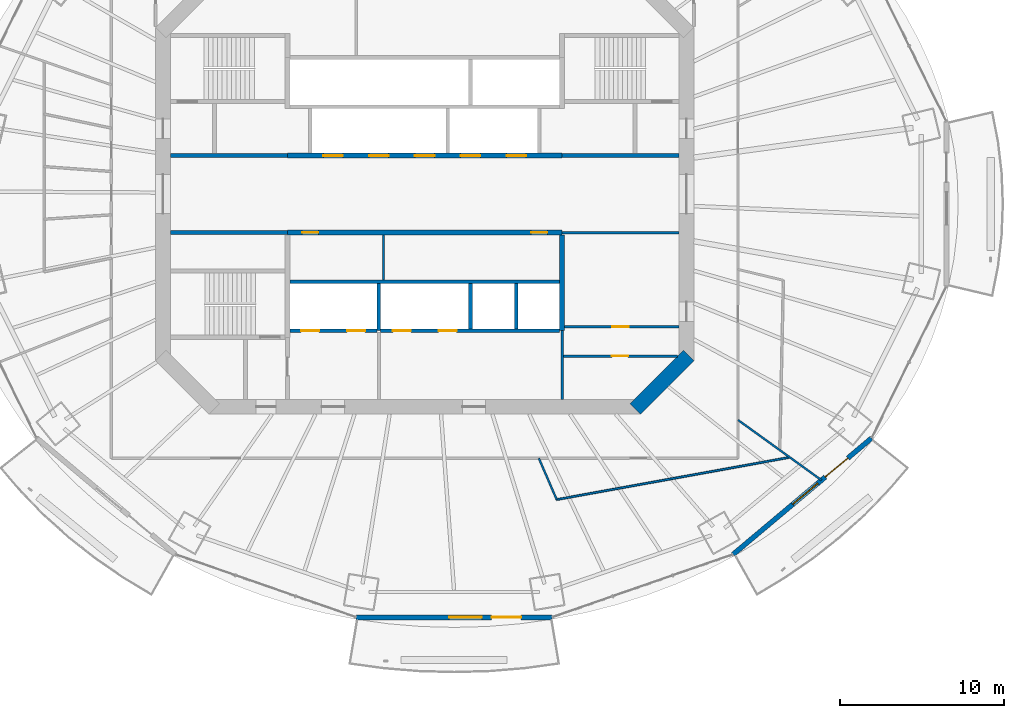
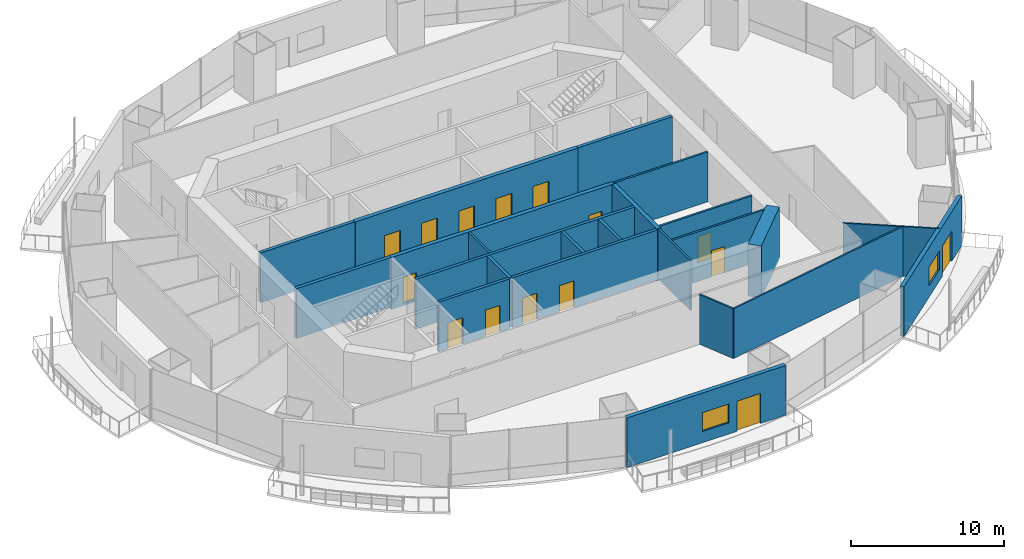
# One storey, part 11 of 19: 23 walls, 15 doors, 2 windows, 17 openings.
"""IFC4 building model written with IfcOpenShell, lengths in metres."""

from ifc_helpers import new_model, si_unit, direction, frame, frame_2d, origin, place, context, subcontext, project, spatial, rectangle, extrude, material, layer, layer_set, type_object, element, fill, save


model = new_model("IFC4")

# Units and contexts
model_context = context("Model", 3, precision=1e-05, world=origin(), true_north=direction((0.0, 1.0)))
body_context = subcontext(model_context, "Body", "Model", "MODEL_VIEW")
ifc_project = project(units=[si_unit("LENGTHUNIT", "METRE"), si_unit("AREAUNIT", "SQUARE_METRE"), si_unit("VOLUMEUNIT", "CUBIC_METRE"), si_unit("PLANEANGLEUNIT", "RADIAN"), si_unit("MASSUNIT", "GRAM", prefix="KILO")], contexts=[model_context])

# Site, building, storey
site_placement = place(None, origin())
site = spatial("IfcSite", under=ifc_project, at=site_placement, CompositionType="ELEMENT")
building_placement = place(site_placement, origin())
building = spatial("IfcBuilding", under=site, at=building_placement, Name="Marenthal Gate Tower", CompositionType="ELEMENT")
storey_placement = place(building_placement, frame((0.0, 0.0, 227.449951171875)))
storey = spatial("IfcBuildingStorey", under=building, at=storey_placement, Name="L50", CompositionType="ELEMENT", Elevation=227.449951171875)

# Wall
ifc_material_1 = material(Name="Concrete 60 MPa", Category="concrete")
ifc_layer_1 = layer(ifc_material_1, 0.89990234375)
ifc_layer_set_1 = layer_set([ifc_layer_1], Name="Core shear wall 900")
wall_type_1 = type_object("IfcWallType", Name="Core shear wall 900", PredefinedType="SHEAR", material=ifc_layer_set_1)
wall_1_placement = place(storey_placement, frame((12.8681640625, -13.1318359375, -0.179931640625), z_axis=(0.0, 0.0, 1.0), x_axis=(0.707106781187, 0.707106781187, 0.0)))
element("IfcWall", 1, at=wall_1_placement, inside=storey, type_object=wall_type_1, Name="Core wall 01", PredefinedType="SHEAR", context=body_context, shape_type="SweptSolid", body=[
    extrude(rectangle(XDim=4.615478515625, YDim=0.89990234375, at=frame_2d((2.3076171875, 0.0))), origin(), (0.0, 0.0, 1.0), 4.14990234375),
])

# Wall, openings, doors
ifc_material_2 = material(Name="Concrete 50 MPa", Category="concrete")
ifc_layer_2 = layer(ifc_material_2, 0.300048828125)
ifc_layer_set_2 = layer_set([ifc_layer_2], Name="Hoistway shear wall 300")
wall_type_2 = type_object("IfcWallType", Name="Hoistway shear wall 300", PredefinedType="SHEAR", material=ifc_layer_set_2)
wall_2_placement = place(storey_placement, frame((-8.39990234375, -2.35009765625, -0.179931640625), z_axis=(0.0, 0.0, 1.0), x_axis=(1.0, 0.0, 0.0)))
wall_2 = element("IfcWall", 2, at=wall_2_placement, inside=storey, type_object=wall_type_2, Name="Hoistway wall 17", PredefinedType="SHEAR", context=body_context, shape_type="SweptSolid", body=[
    extrude(rectangle(XDim=16.7998046875, YDim=0.300048828125, at=frame_2d((8.39990234375, 0.0))), origin(), (0.0, 0.0, 1.0), 4.14990234375),
])
opening_1_placement = place(wall_2_placement, frame((0.89990234375, 0.0, 0.179931640625)))
opening_1 = element("IfcOpeningElement", 3, at=opening_1_placement, cuts=wall_2, Name="Opening D005.01", PredefinedType="OPENING", context=body_context, shape_type="SweptSolid", body=[
    extrude(rectangle(XDim=1.0, YDim=2.10009765625, at=frame_2d((0.5, 1.050048828125))), frame((0.0, 0.16015625, 0.0), z_axis=(0.0, -1.0, 0.0), x_axis=(1.0, 0.0, 0.0)), (0.0, 0.0, 1.0), 0.320068359375),
])
opening_2_placement = place(wall_2_placement, frame((14.89990234375, 0.0, 0.179931640625)))
opening_2 = element("IfcOpeningElement", 4, at=opening_2_placement, cuts=wall_2, Name="Opening D005.02", PredefinedType="OPENING", context=body_context, shape_type="SweptSolid", body=[
    extrude(rectangle(XDim=1.0, YDim=2.10009765625, at=frame_2d((0.5, 1.050048828125))), frame((0.0, 0.16015625, 0.0), z_axis=(0.0, -1.0, 0.0), x_axis=(1.0, 0.0, 0.0)), (0.0, 0.0, 1.0), 0.320068359375),
])
ifc_material_3 = material(Name="Steel fire door", Category="steel")
door_type_1 = type_object("IfcDoorType", Name="Fire door FD 45 1000 x 2100", OperationType="NOTDEFINED", PredefinedType="DOOR", material=ifc_material_3)
door_1_placement = place(opening_1_placement, frame((1.0, 0.0, 0.0), z_axis=(0.0, 0.0, 1.0), x_axis=(-1.0, 0.0, 0.0)))
door_1 = element("IfcDoor", 5, at=door_1_placement, inside=storey, type_object=door_type_1, Name="Door D005.01", OperationType="SINGLE_SWING_LEFT", OverallHeight=2.10009765625, OverallWidth=1.0, PredefinedType="DOOR", context=body_context, shape_type="SweptSolid", body=[
    extrude(rectangle(XDim=1.0, YDim=2.10009765625, at=frame_2d((0.5, 1.050048828125))), frame((0.0, 0.02490234375, 0.0), z_axis=(0.0, -1.0, 0.0), x_axis=(1.0, 0.0, 0.0)), (0.0, 0.0, 1.0), 0.050048828125),
])
fill(opening_1, door_1)
door_2_placement = place(opening_2_placement, frame((1.0, 0.0, 0.0), z_axis=(0.0, 0.0, 1.0), x_axis=(-1.0, 0.0, 0.0)))
door_2 = element("IfcDoor", 6, at=door_2_placement, inside=storey, type_object=door_type_1, Name="Door D005.02", OperationType="SINGLE_SWING_LEFT", OverallHeight=2.10009765625, OverallWidth=1.0, PredefinedType="DOOR", context=body_context, shape_type="SweptSolid", body=[
    extrude(rectangle(XDim=1.0, YDim=2.10009765625, at=frame_2d((0.5, 1.050048828125))), frame((0.0, 0.02490234375, 0.0), z_axis=(0.0, -1.0, 0.0), x_axis=(1.0, 0.0, 0.0)), (0.0, 0.0, 1.0), 0.050048828125),
])
fill(opening_2, door_2)

wall_3_placement = place(storey_placement, frame((-8.39990234375, 2.35009765625, -0.179931640625), z_axis=(0.0, 0.0, 1.0), x_axis=(1.0, 0.0, 0.0)))
wall_3 = element("IfcWall", 7, at=wall_3_placement, inside=storey, type_object=wall_type_2, Name="Hoistway wall 20", PredefinedType="SHEAR", context=body_context, shape_type="SweptSolid", body=[
    extrude(rectangle(XDim=16.7998046875, YDim=0.300048828125, at=frame_2d((8.39990234375, 0.0))), origin(), (0.0, 0.0, 1.0), 4.14990234375),
])
opening_3_placement = place(wall_3_placement, frame((2.199951171875, 0.0, 0.179931640625)))
opening_3 = element("IfcOpeningElement", 8, at=opening_3_placement, cuts=wall_3, Name="Opening LD-MP1", PredefinedType="OPENING", context=body_context, shape_type="SweptSolid", body=[
    extrude(rectangle(XDim=1.199951171875, YDim=2.10009765625, at=frame_2d((0.60009765625, 1.050048828125))), frame((0.0, 0.16015625, 0.0), z_axis=(0.0, -1.0, 0.0), x_axis=(1.0, 0.0, 0.0)), (0.0, 0.0, 1.0), 0.320068359375),
])
opening_4_placement = place(wall_3_placement, frame((5.0, 0.0, 0.179931640625)))
opening_4 = element("IfcOpeningElement", 9, at=opening_4_placement, cuts=wall_3, Name="Opening LD-MP2", PredefinedType="OPENING", context=body_context, shape_type="SweptSolid", body=[
    extrude(rectangle(XDim=1.199951171875, YDim=2.10009765625, at=frame_2d((0.60009765625, 1.050048828125))), frame((0.0, 0.16015625, 0.0), z_axis=(0.0, -1.0, 0.0), x_axis=(1.0, 0.0, 0.0)), (0.0, 0.0, 1.0), 0.320068359375),
])
opening_5_placement = place(wall_3_placement, frame((7.800048828125, 0.0, 0.179931640625)))
opening_5 = element("IfcOpeningElement", 10, at=opening_5_placement, cuts=wall_3, Name="Opening LD-MP3", PredefinedType="OPENING", context=body_context, shape_type="SweptSolid", body=[
    extrude(rectangle(XDim=1.199951171875, YDim=2.10009765625, at=frame_2d((0.60009765625, 1.050048828125))), frame((0.0, 0.16015625, 0.0), z_axis=(0.0, -1.0, 0.0), x_axis=(1.0, 0.0, 0.0)), (0.0, 0.0, 1.0), 0.320068359375),
])
opening_6_placement = place(wall_3_placement, frame((10.60009765625, 0.0, 0.179931640625)))
opening_6 = element("IfcOpeningElement", 11, at=opening_6_placement, cuts=wall_3, Name="Opening LD-MP4", PredefinedType="OPENING", context=body_context, shape_type="SweptSolid", body=[
    extrude(rectangle(XDim=1.199951171875, YDim=2.10009765625, at=frame_2d((0.60009765625, 1.050048828125))), frame((0.0, 0.16015625, 0.0), z_axis=(0.0, -1.0, 0.0), x_axis=(1.0, 0.0, 0.0)), (0.0, 0.0, 1.0), 0.320068359375),
])
opening_7_placement = place(wall_3_placement, frame((13.39990234375, 0.0, 0.179931640625)))
opening_7 = element("IfcOpeningElement", 12, at=opening_7_placement, cuts=wall_3, Name="Opening LD-MP5", PredefinedType="OPENING", context=body_context, shape_type="SweptSolid", body=[
    extrude(rectangle(XDim=1.199951171875, YDim=2.10009765625, at=frame_2d((0.60009765625, 1.050048828125))), frame((0.0, 0.16015625, 0.0), z_axis=(0.0, -1.0, 0.0), x_axis=(1.0, 0.0, 0.0)), (0.0, 0.0, 1.0), 0.320068359375),
])
ifc_material_4 = material(Name="Stainless steel sliding door", Category="steel")
door_type_2 = type_object("IfcDoorType", Name="Lift landing door FD 90 1200 x 2100", OperationType="DOUBLE_DOOR_SLIDING", PredefinedType="DOOR", material=ifc_material_4)
door_3_placement = place(opening_3_placement, origin())
door_3 = element("IfcDoor", 13, at=door_3_placement, inside=storey, type_object=door_type_2, Name="Lift landing door MP1", OperationType="DOUBLE_DOOR_SLIDING", OverallHeight=2.10009765625, OverallWidth=1.199951171875, PredefinedType="DOOR", context=body_context, shape_type="SweptSolid", body=[
    extrude(rectangle(XDim=1.199951171875, YDim=2.10009765625, at=frame_2d((0.60009765625, 1.050048828125))), frame((0.0, 0.02490234375, 0.0), z_axis=(0.0, -1.0, 0.0), x_axis=(1.0, 0.0, 0.0)), (0.0, 0.0, 1.0), 0.050048828125),
])
fill(opening_3, door_3)
door_4_placement = place(opening_4_placement, origin())
door_4 = element("IfcDoor", 14, at=door_4_placement, inside=storey, type_object=door_type_2, Name="Lift landing door MP2", OperationType="DOUBLE_DOOR_SLIDING", OverallHeight=2.10009765625, OverallWidth=1.199951171875, PredefinedType="DOOR", context=body_context, shape_type="SweptSolid", body=[
    extrude(rectangle(XDim=1.199951171875, YDim=2.10009765625, at=frame_2d((0.60009765625, 1.050048828125))), frame((0.0, 0.02490234375, 0.0), z_axis=(0.0, -1.0, 0.0), x_axis=(1.0, 0.0, 0.0)), (0.0, 0.0, 1.0), 0.050048828125),
])
fill(opening_4, door_4)
door_5_placement = place(opening_5_placement, origin())
door_5 = element("IfcDoor", 15, at=door_5_placement, inside=storey, type_object=door_type_2, Name="Lift landing door MP3", OperationType="DOUBLE_DOOR_SLIDING", OverallHeight=2.10009765625, OverallWidth=1.199951171875, PredefinedType="DOOR", context=body_context, shape_type="SweptSolid", body=[
    extrude(rectangle(XDim=1.199951171875, YDim=2.10009765625, at=frame_2d((0.60009765625, 1.050048828125))), frame((0.0, 0.02490234375, 0.0), z_axis=(0.0, -1.0, 0.0), x_axis=(1.0, 0.0, 0.0)), (0.0, 0.0, 1.0), 0.050048828125),
])
fill(opening_5, door_5)
door_6_placement = place(opening_6_placement, origin())
door_6 = element("IfcDoor", 16, at=door_6_placement, inside=storey, type_object=door_type_2, Name="Lift landing door MP4", OperationType="DOUBLE_DOOR_SLIDING", OverallHeight=2.10009765625, OverallWidth=1.199951171875, PredefinedType="DOOR", context=body_context, shape_type="SweptSolid", body=[
    extrude(rectangle(XDim=1.199951171875, YDim=2.10009765625, at=frame_2d((0.60009765625, 1.050048828125))), frame((0.0, 0.02490234375, 0.0), z_axis=(0.0, -1.0, 0.0), x_axis=(1.0, 0.0, 0.0)), (0.0, 0.0, 1.0), 0.050048828125),
])
fill(opening_6, door_6)
door_7_placement = place(opening_7_placement, origin())
door_7 = element("IfcDoor", 17, at=door_7_placement, inside=storey, type_object=door_type_2, Name="Lift landing door MP5", OperationType="DOUBLE_DOOR_SLIDING", OverallHeight=2.10009765625, OverallWidth=1.199951171875, PredefinedType="DOOR", context=body_context, shape_type="SweptSolid", body=[
    extrude(rectangle(XDim=1.199951171875, YDim=2.10009765625, at=frame_2d((0.60009765625, 1.050048828125))), frame((0.0, 0.02490234375, 0.0), z_axis=(0.0, -1.0, 0.0), x_axis=(1.0, 0.0, 0.0)), (0.0, 0.0, 1.0), 0.050048828125),
])
fill(opening_7, door_7)

# Wall
wall_4_placement = place(storey_placement, frame((8.39990234375, -8.35009765625, -0.179931640625), z_axis=(0.0, 0.0, 1.0), x_axis=(0.0, 1.0, 0.0)))
element("IfcWall", 18, at=wall_4_placement, inside=storey, type_object=wall_type_2, Name="Hoistway wall 45", PredefinedType="SHEAR", context=body_context, shape_type="SweptSolid", body=[
    extrude(rectangle(XDim=5.85009765625, YDim=0.300048828125, at=frame_2d((2.925048828125, 0.0))), origin(), (0.0, 0.0, 1.0), 4.14990234375),
])

# Wall, openings, doors
ifc_material_5 = material(Name="Concrete 40 MPa", Category="concrete")
ifc_layer_3 = layer(ifc_material_5, 0.219970703125)
ifc_layer_set_3 = layer_set([ifc_layer_3], Name="Hoistway wall 220")
wall_type_3 = type_object("IfcWallType", Name="Hoistway wall 220", PredefinedType="STANDARD", material=ifc_layer_set_3)
wall_5_placement = place(storey_placement, frame((-8.25, -8.35009765625, 0.0), z_axis=(0.0, 0.0, 1.0), x_axis=(1.0, 0.0, 0.0)))
wall_5 = element("IfcWall", 19, at=wall_5_placement, inside=storey, type_object=wall_type_3, Name="Hoistway wall 11", PredefinedType="STANDARD", context=body_context, shape_type="SweptSolid", body=[
    extrude(rectangle(XDim=5.340087890625, YDim=0.219970703125, at=frame_2d((2.669921875, 0.0))), origin(), (0.0, 0.0, 1.0), 3.969970703125),
])
opening_8_placement = place(wall_5_placement, frame((0.699951171875, 0.0, 0.0)))
opening_8 = element("IfcOpeningElement", 20, at=opening_8_placement, cuts=wall_5, Name="Opening LD-LF1", PredefinedType="OPENING", context=body_context, shape_type="SweptSolid", body=[
    extrude(rectangle(XDim=1.10009765625, YDim=2.10009765625, at=frame_2d((0.550048828125, 1.050048828125))), frame((0.0, 0.1201171875, 0.0), z_axis=(0.0, -1.0, 0.0), x_axis=(1.0, 0.0, 0.0)), (0.0, 0.0, 1.0), 0.239990234375),
])
opening_9_placement = place(wall_5_placement, frame((3.5, 0.0, 0.0)))
opening_9 = element("IfcOpeningElement", 21, at=opening_9_placement, cuts=wall_5, Name="Opening LD-LF2", PredefinedType="OPENING", context=body_context, shape_type="SweptSolid", body=[
    extrude(rectangle(XDim=1.10009765625, YDim=2.10009765625, at=frame_2d((0.550048828125, 1.050048828125))), frame((0.0, 0.1201171875, 0.0), z_axis=(0.0, -1.0, 0.0), x_axis=(1.0, 0.0, 0.0)), (0.0, 0.0, 1.0), 0.239990234375),
])
ifc_material_6 = material(Name="Stainless steel sliding door", Category="steel")
door_type_3 = type_object("IfcDoorType", Name="Lift landing door FD 90 1100 x 2100", OperationType="DOUBLE_DOOR_SLIDING", PredefinedType="DOOR", material=ifc_material_6)
door_8_placement = place(opening_8_placement, origin())
door_8 = element("IfcDoor", 22, at=door_8_placement, inside=storey, type_object=door_type_3, Name="Lift landing door LF1", OperationType="DOUBLE_DOOR_SLIDING", OverallHeight=2.10009765625, OverallWidth=1.10009765625, PredefinedType="DOOR", context=body_context, shape_type="SweptSolid", body=[
    extrude(rectangle(XDim=1.10009765625, YDim=2.10009765625, at=frame_2d((0.550048828125, 1.050048828125))), frame((0.0, 0.02490234375, 0.0), z_axis=(0.0, -1.0, 0.0), x_axis=(1.0, 0.0, 0.0)), (0.0, 0.0, 1.0), 0.050048828125),
])
fill(opening_8, door_8)
door_9_placement = place(opening_9_placement, origin())
door_9 = element("IfcDoor", 23, at=door_9_placement, inside=storey, type_object=door_type_3, Name="Lift landing door LF2", OperationType="DOUBLE_DOOR_SLIDING", OverallHeight=2.10009765625, OverallWidth=1.10009765625, PredefinedType="DOOR", context=body_context, shape_type="SweptSolid", body=[
    extrude(rectangle(XDim=1.10009765625, YDim=2.10009765625, at=frame_2d((0.550048828125, 1.050048828125))), frame((0.0, 0.02490234375, 0.0), z_axis=(0.0, -1.0, 0.0), x_axis=(1.0, 0.0, 0.0)), (0.0, 0.0, 1.0), 0.050048828125),
])
fill(opening_9, door_9)

wall_6_placement = place(storey_placement, frame((-2.68994140625, -8.35009765625, 0.0), z_axis=(0.0, 0.0, 1.0), x_axis=(1.0, 0.0, 0.0)))
wall_6 = element("IfcWall", 24, at=wall_6_placement, inside=storey, type_object=wall_type_3, Name="Hoistway wall 12", PredefinedType="STANDARD", context=body_context, shape_type="SweptSolid", body=[
    extrude(rectangle(XDim=10.93994140625, YDim=0.219970703125, at=frame_2d((5.469970703125, 0.0))), origin(), (0.0, 0.0, 1.0), 3.969970703125),
])
opening_10_placement = place(wall_6_placement, frame((0.739990234375, 0.0, 0.0)))
opening_10 = element("IfcOpeningElement", 25, at=opening_10_placement, cuts=wall_6, Name="Opening LD-SV1", PredefinedType="OPENING", context=body_context, shape_type="SweptSolid", body=[
    extrude(rectangle(XDim=1.10009765625, YDim=2.10009765625, at=frame_2d((0.550048828125, 1.050048828125))), frame((0.0, 0.1201171875, 0.0), z_axis=(0.0, -1.0, 0.0), x_axis=(1.0, 0.0, 0.0)), (0.0, 0.0, 1.0), 0.239990234375),
])
opening_11_placement = place(wall_6_placement, frame((3.5400390625, 0.0, 0.0)))
opening_11 = element("IfcOpeningElement", 26, at=opening_11_placement, cuts=wall_6, Name="Opening LD-SV2", PredefinedType="OPENING", context=body_context, shape_type="SweptSolid", body=[
    extrude(rectangle(XDim=1.10009765625, YDim=2.10009765625, at=frame_2d((0.550048828125, 1.050048828125))), frame((0.0, 0.1201171875, 0.0), z_axis=(0.0, -1.0, 0.0), x_axis=(1.0, 0.0, 0.0)), (0.0, 0.0, 1.0), 0.239990234375),
])
door_10_placement = place(opening_10_placement, origin())
door_10 = element("IfcDoor", 27, at=door_10_placement, inside=storey, type_object=door_type_3, Name="Lift landing door SV1", OperationType="DOUBLE_DOOR_SLIDING", OverallHeight=2.10009765625, OverallWidth=1.10009765625, PredefinedType="DOOR", context=body_context, shape_type="SweptSolid", body=[
    extrude(rectangle(XDim=1.10009765625, YDim=2.10009765625, at=frame_2d((0.550048828125, 1.050048828125))), frame((0.0, 0.02490234375, 0.0), z_axis=(0.0, -1.0, 0.0), x_axis=(1.0, 0.0, 0.0)), (0.0, 0.0, 1.0), 0.050048828125),
])
fill(opening_10, door_10)
door_11_placement = place(opening_11_placement, origin())
door_11 = element("IfcDoor", 28, at=door_11_placement, inside=storey, type_object=door_type_3, Name="Lift landing door SV2", OperationType="DOUBLE_DOOR_SLIDING", OverallHeight=2.10009765625, OverallWidth=1.10009765625, PredefinedType="DOOR", context=body_context, shape_type="SweptSolid", body=[
    extrude(rectangle(XDim=1.10009765625, YDim=2.10009765625, at=frame_2d((0.550048828125, 1.050048828125))), frame((0.0, 0.02490234375, 0.0), z_axis=(0.0, -1.0, 0.0), x_axis=(1.0, 0.0, 0.0)), (0.0, 0.0, 1.0), 0.050048828125),
])
fill(opening_11, door_11)

# Walls
wall_7_placement = place(storey_placement, frame((-8.25, -5.35009765625, 0.0), z_axis=(0.0, 0.0, 1.0), x_axis=(1.0, 0.0, 0.0)))
element("IfcWall", 29, at=wall_7_placement, inside=storey, type_object=wall_type_3, Name="Hoistway wall 14", PredefinedType="STANDARD", context=body_context, shape_type="SweptSolid", body=[
    extrude(rectangle(XDim=16.5, YDim=0.219970703125, at=frame_2d((8.25, 0.0))), origin(), (0.0, 0.0, 1.0), 3.969970703125),
])
wall_8_placement = place(storey_placement, frame((-2.800048828125, -8.35009765625, 0.0), z_axis=(0.0, 0.0, 1.0), x_axis=(0.0, 1.0, 0.0)))
element("IfcWall", 30, at=wall_8_placement, inside=storey, type_object=wall_type_3, Name="Hoistway wall 37", PredefinedType="STANDARD", context=body_context, shape_type="SweptSolid", body=[
    extrude(rectangle(XDim=2.89013671875, YDim=0.219970703125, at=frame_2d((1.445068359375, 0.0))), origin(), (0.0, 0.0, 1.0), 3.969970703125),
])
for number, where, z_axis, x_axis, name in (
    (31, (2.800048828125, -8.239990234375, 0.0), (0.0, 0.0, 1.0), (0.0, 1.0, 0.0), "Hoistway wall 40"),
    (32, (5.60009765625, -8.239990234375, 0.0), (0.0, 0.0, 1.0), (0.0, 1.0, 0.0), "Hoistway wall 42"),
):
    element("IfcWall", number, at=place(storey_placement, frame(where, z_axis=z_axis, x_axis=x_axis)), inside=storey, type_object=wall_type_3, Name=name, PredefinedType="STANDARD", context=body_context, shape_type="SweptSolid", body=[
        extrude(rectangle(XDim=2.780029296875, YDim=0.219970703125, at=frame_2d((1.39013671875, 0.0))), origin(), (0.0, 0.0, 1.0), 3.969970703125),
    ])
ifc_material_7 = material(Name="Gypsum board on steel studs", Category="steel")
ifc_layer_4 = layer(ifc_material_7, 0.1201171875)
ifc_layer_set_4 = layer_set([ifc_layer_4], Name="Partition 120")
wall_type_4 = type_object("IfcWallType", Name="Partition 120", PredefinedType="PARTITIONING", material=ifc_layer_set_4)
wall_9_placement = place(storey_placement, frame((8.06640625, -18.672607421875, 0.0), z_axis=(0.0, 0.0, 1.0), x_axis=(0.983945089575, 0.178471456263, 0.0)))
element("IfcWall", 33, at=wall_9_placement, inside=storey, type_object=wall_type_4, Name="Partition wall 60", PredefinedType="PARTITIONING", context=body_context, shape_type="SweptSolid", body=[
    extrude(rectangle(XDim=14.479736328125, YDim=0.1201171875, at=frame_2d((7.23974609375, 0.0))), origin(), (0.0, 0.0, 1.0), 3.969970703125),
])
wall_10_placement = place(storey_placement, frame((8.06640625, -18.672607421875, 0.0), z_axis=(0.0, 0.0, 1.0), x_axis=(-0.39651259826, 0.918029280264, 0.0)))
element("IfcWall", 34, at=wall_10_placement, inside=storey, type_object=wall_type_4, Name="Partition wall 61", PredefinedType="PARTITIONING", context=body_context, shape_type="SweptSolid", body=[
    extrude(rectangle(XDim=2.748046875, YDim=0.1201171875, at=frame_2d((1.3740234375, 0.0))), origin(), (0.0, 0.0, 1.0), 3.969970703125),
])
wall_11_placement = place(storey_placement, frame((19.14990234375, -13.807373046875, 0.0), z_axis=(0.0, 0.0, 1.0), x_axis=(0.811160965087, -0.584822955021, 0.0)))
element("IfcWall", 35, at=wall_11_placement, inside=storey, type_object=wall_type_4, Name="Partition wall 65", PredefinedType="PARTITIONING", context=body_context, shape_type="SweptSolid", body=[
    extrude(rectangle(XDim=6.290771484375, YDim=0.1201171875, at=frame_2d((3.1455078125, 0.0))), origin(), (0.0, 0.0, 1.0), 3.969970703125),
])

# Wall, opening, door
ifc_material_8 = material(Name="Gypsum board on steel studs", Category="steel")
ifc_layer_5 = layer(ifc_material_8, 0.14990234375)
ifc_layer_set_5 = layer_set([ifc_layer_5], Name="Partition 150")
wall_type_5 = type_object("IfcWallType", Name="Partition 150", PredefinedType="PARTITIONING", material=ifc_layer_set_5)
wall_12_placement = place(storey_placement, frame((8.47509765625, -9.89990234375, 0.0), z_axis=(0.0, 0.0, 1.0), x_axis=(1.0, 0.0, 0.0)))
wall_12 = element("IfcWall", 36, at=wall_12_placement, inside=storey, type_object=wall_type_5, Name="Partition wall 09", PredefinedType="PARTITIONING", context=body_context, shape_type="SweptSolid", body=[
    extrude(rectangle(XDim=6.988525390625, YDim=0.14990234375, at=frame_2d((3.494140625, 0.0))), origin(), (0.0, 0.0, 1.0), 3.969970703125),
])
opening_12_placement = place(wall_12_placement, frame((2.956787109375, 0.0, 0.0)))
opening_12 = element("IfcOpeningElement", 37, at=opening_12_placement, cuts=wall_12, Name="Opening D005.06", PredefinedType="OPENING", context=body_context, shape_type="SweptSolid", body=[
    extrude(rectangle(XDim=1.0, YDim=2.10009765625, at=frame_2d((0.5, 1.050048828125))), frame((0.0, 0.0849609375, 0.0), z_axis=(0.0, -1.0, 0.0), x_axis=(1.0, 0.0, 0.0)), (0.0, 0.0, 1.0), 0.169921875),
])
door_12_placement = place(opening_12_placement, frame((1.0, 0.0, 0.0), z_axis=(0.0, 0.0, 1.0), x_axis=(-1.0, 0.0, 0.0)))
door_12 = element("IfcDoor", 38, at=door_12_placement, inside=storey, type_object=door_type_1, Name="Door D005.06", OperationType="SINGLE_SWING_LEFT", OverallHeight=2.10009765625, OverallWidth=1.0, PredefinedType="DOOR", context=body_context, shape_type="SweptSolid", body=[
    extrude(rectangle(XDim=1.0, YDim=2.10009765625, at=frame_2d((0.5, 1.050048828125))), frame((0.0, 0.02490234375, 0.0), z_axis=(0.0, -1.0, 0.0), x_axis=(1.0, 0.0, 0.0)), (0.0, 0.0, 1.0), 0.050048828125),
])
fill(opening_12, door_12)

wall_13_placement = place(storey_placement, frame((8.550048828125, -8.10009765625, 0.0), z_axis=(0.0, 0.0, 1.0), x_axis=(1.0, 0.0, 0.0)))
wall_13 = element("IfcWall", 39, at=wall_13_placement, inside=storey, type_object=wall_type_5, Name="Partition wall 13", PredefinedType="PARTITIONING", context=body_context, shape_type="SweptSolid", body=[
    extrude(rectangle(XDim=7.0, YDim=0.14990234375, at=frame_2d((3.5, 0.0))), origin(), (0.0, 0.0, 1.0), 3.969970703125),
])
opening_13_placement = place(wall_13_placement, frame((2.925048828125, 0.0, 0.0)))
opening_13 = element("IfcOpeningElement", 40, at=opening_13_placement, cuts=wall_13, Name="Opening D005.05", PredefinedType="OPENING", context=body_context, shape_type="SweptSolid", body=[
    extrude(rectangle(XDim=1.0, YDim=2.10009765625, at=frame_2d((0.5, 1.050048828125))), frame((0.0, 0.0849609375, 0.0), z_axis=(0.0, -1.0, 0.0), x_axis=(1.0, 0.0, 0.0)), (0.0, 0.0, 1.0), 0.169921875),
])
door_13_placement = place(opening_13_placement, origin())
door_13 = element("IfcDoor", 41, at=door_13_placement, inside=storey, type_object=door_type_1, Name="Door D005.05", OperationType="SINGLE_SWING_RIGHT", OverallHeight=2.10009765625, OverallWidth=1.0, PredefinedType="DOOR", context=body_context, shape_type="SweptSolid", body=[
    extrude(rectangle(XDim=1.0, YDim=2.10009765625, at=frame_2d((0.5, 1.050048828125))), frame((0.0, 0.02490234375, 0.0), z_axis=(0.0, -1.0, 0.0), x_axis=(1.0, 0.0, 0.0)), (0.0, 0.0, 1.0), 0.050048828125),
])
fill(opening_13, door_13)

# Walls
wall_14_placement = place(storey_placement, frame((8.39990234375, -2.35009765625, 0.0), z_axis=(0.0, 0.0, 1.0), x_axis=(1.0, 0.0, 0.0)))
element("IfcWall", 42, at=wall_14_placement, inside=storey, type_object=wall_type_5, Name="Partition wall 18", PredefinedType="PARTITIONING", context=body_context, shape_type="SweptSolid", body=[
    extrude(rectangle(XDim=7.150146484375, YDim=0.14990234375, at=frame_2d((3.5751953125, 0.0))), origin(), (0.0, 0.0, 1.0), 3.969970703125),
])
wall_15_placement = place(storey_placement, frame((-2.52001953125, -5.239990234375, 0.0), z_axis=(0.0, 0.0, 1.0), x_axis=(0.0, 1.0, 0.0)))
element("IfcWall", 43, at=wall_15_placement, inside=storey, type_object=wall_type_5, Name="Partition wall 38", PredefinedType="PARTITIONING", context=body_context, shape_type="SweptSolid", body=[
    extrude(rectangle(XDim=2.739990234375, YDim=0.14990234375, at=frame_2d((1.3701171875, 0.0))), origin(), (0.0, 0.0, 1.0), 3.969970703125),
])
wall_16_placement = place(storey_placement, frame((8.39990234375, -12.550048828125, 0.0), z_axis=(0.0, 0.0, 1.0), x_axis=(0.0, 1.0, 0.0)))
element("IfcWall", 44, at=wall_16_placement, inside=storey, type_object=wall_type_5, Name="Partition wall 44", PredefinedType="PARTITIONING", context=body_context, shape_type="SweptSolid", body=[
    extrude(rectangle(XDim=4.199951171875, YDim=0.14990234375, at=frame_2d((2.10009765625, 0.0))), origin(), (0.0, 0.0, 1.0), 3.969970703125),
])
ifc_material_9 = material(Name="Concrete 40 MPa", Category="concrete")
ifc_layer_6 = layer(ifc_material_9, 0.25)
ifc_layer_set_6 = layer_set([ifc_layer_6], Name="Stair enclosure wall 250")
wall_type_6 = type_object("IfcWallType", Name="Stair enclosure wall 250", PredefinedType="STANDARD", material=ifc_layer_set_6)
for number, where, z_axis, x_axis, name in (
    (45, (-15.550048828125, -2.35009765625, 0.0), (0.0, 0.0, 1.0), (1.0, 0.0, 0.0), "Stair wall 16"),
    (46, (-15.550048828125, 2.35009765625, 0.0), (0.0, 0.0, 1.0), (1.0, 0.0, 0.0), "Stair wall 19"),
    (47, (8.39990234375, 2.35009765625, 0.0), (0.0, 0.0, 1.0), (1.0, 0.0, 0.0), "Stair wall 21"),
):
    element("IfcWall", number, at=place(storey_placement, frame(where, z_axis=z_axis, x_axis=x_axis)), inside=storey, type_object=wall_type_6, Name=name, PredefinedType="STANDARD", context=body_context, shape_type="SweptSolid", body=[
        extrude(rectangle(XDim=7.150146484375, YDim=0.25, at=frame_2d((3.5751953125, 0.0))), origin(), (0.0, 0.0, 1.0), 3.969970703125),
    ])

# Wall, openings, door, window
ifc_material_10 = material(Name="Terracotta cladding on insulated concrete-block backing", Category="masonry")
ifc_layer_7 = layer(ifc_material_10, 0.300048828125)
ifc_layer_set_7 = layer_set([ifc_layer_7], Name="Terracotta facade wall 300")
wall_type_7 = type_object("IfcWallType", Name="Terracotta facade wall 300", PredefinedType="SOLIDWALL", material=ifc_layer_set_7)
wall_17_placement = place(storey_placement, frame((-4.18701171875, -25.869873046875, 0.0), z_axis=(0.0, 0.0, 1.0), x_axis=(1.0, 0.0, 0.0)))
wall_17 = element("IfcWall", 48, at=wall_17_placement, inside=storey, type_object=wall_type_7, Name="Terracotta facade wall L50 bay 12", PredefinedType="SOLIDWALL", context=body_context, shape_type="SweptSolid", body=[
    extrude(rectangle(XDim=11.973876953125, YDim=0.300048828125, at=frame_2d((5.98681640625, 0.0))), origin(), (0.0, 0.0, 1.0), 3.969970703125),
])
opening_14_placement = place(wall_17_placement, frame((8.273681640625, 0.0, 0.0)))
opening_14 = element("IfcOpeningElement", 49, at=opening_14_placement, cuts=wall_17, Name="Opening BD-L50-12", PredefinedType="OPENING", context=body_context, shape_type="SweptSolid", body=[
    extrude(rectangle(XDim=1.800048828125, YDim=2.39990234375, at=frame_2d((0.89990234375, 1.199951171875))), frame((0.0, 0.16015625, 0.0), z_axis=(0.0, -1.0, 0.0), x_axis=(1.0, 0.0, 0.0)), (0.0, 0.0, 1.0), 0.320068359375),
])
opening_15_placement = place(wall_17_placement, frame((5.673828125, 0.0, 0.89990234375)))
opening_15 = element("IfcOpeningElement", 50, at=opening_15_placement, cuts=wall_17, Name="Opening WN2-L50-12", PredefinedType="OPENING", context=body_context, shape_type="SweptSolid", body=[
    extrude(rectangle(XDim=2.0, YDim=1.5, at=frame_2d((1.0, 0.75))), frame((0.0, 0.16015625, 0.0), z_axis=(0.0, -1.0, 0.0), x_axis=(1.0, 0.0, 0.0)), (0.0, 0.0, 1.0), 0.320068359375),
])
ifc_material_11 = material(Name="Aluminium and glass", Category="aluminium")
door_type_4 = type_object("IfcDoorType", Name="Balcony door 1800x2400", OperationType="DOUBLE_DOOR_SINGLE_SWING", PredefinedType="DOOR", material=ifc_material_11)
door_14_placement = place(opening_14_placement, origin())
door_14 = element("IfcDoor", 51, at=door_14_placement, inside=storey, type_object=door_type_4, Name="Balcony door L50 bay 12", OperationType="SINGLE_SWING_LEFT", OverallHeight=2.39990234375, OverallWidth=1.800048828125, PredefinedType="DOOR", context=body_context, shape_type="SweptSolid", body=[
    extrude(rectangle(XDim=1.800048828125, YDim=2.39990234375, at=frame_2d((0.89990234375, 1.199951171875))), frame((0.0, 0.02490234375, 0.0), z_axis=(0.0, -1.0, 0.0), x_axis=(1.0, 0.0, 0.0)), (0.0, 0.0, 1.0), 0.050048828125),
])
fill(opening_14, door_14)
ifc_material_12 = material(Name="Aluminium and glass", Category="aluminium")
window_type = type_object("IfcWindowType", Name="Window 2000x1500", PartitioningType="DOUBLE_PANEL_VERTICAL", PredefinedType="WINDOW", material=ifc_material_12)
window_1_placement = place(opening_15_placement, origin())
window_1 = element("IfcWindow", 52, at=window_1_placement, inside=storey, type_object=window_type, Name="Window L50 bay 12", OverallHeight=1.5, OverallWidth=2.0, PartitioningType="SINGLE_PANEL", PredefinedType="WINDOW", context=body_context, shape_type="SweptSolid", body=[
    extrude(rectangle(XDim=2.0, YDim=1.5, at=frame_2d((1.0, 0.75))), frame((0.0, 0.030029296875, 0.0), z_axis=(0.0, -1.0, 0.0), x_axis=(1.0, 0.0, 0.0)), (0.0, 0.0, 1.0), 0.06005859375),
])
fill(opening_15, window_1)

wall_18_placement = place(storey_placement, frame((18.849365234375, -22.022705078125, 0.0), z_axis=(0.0, 0.0, 1.0), x_axis=(0.765870158107, 0.642995257308, 0.0)))
wall_18 = element("IfcWall", 53, at=wall_18_placement, inside=storey, type_object=wall_type_7, Name="Terracotta facade wall L50 bay 14", PredefinedType="SOLIDWALL", context=body_context, shape_type="SweptSolid", body=[
    extrude(rectangle(XDim=11.05517578125, YDim=0.300048828125, at=frame_2d((5.527587890625, 0.0))), origin(), (0.0, 0.0, 1.0), 3.969970703125),
])
opening_16_placement = place(wall_18_placement, frame((7.355224609375, 0.0, 0.0)))
opening_16 = element("IfcOpeningElement", 54, at=opening_16_placement, cuts=wall_18, Name="Opening BD-L50-14", PredefinedType="OPENING", context=body_context, shape_type="SweptSolid", body=[
    extrude(rectangle(XDim=1.800048828125, YDim=2.39990234375, at=frame_2d((0.89990234375, 1.199951171875))), frame((0.0, 0.16015625, 0.0), z_axis=(0.0, -1.0, 0.0), x_axis=(1.0, 0.0, 0.0)), (0.0, 0.0, 1.0), 0.320068359375),
])
opening_17_placement = place(wall_18_placement, frame((4.755126953125, 0.0, 0.89990234375)))
opening_17 = element("IfcOpeningElement", 55, at=opening_17_placement, cuts=wall_18, Name="Opening WN2-L50-14", PredefinedType="OPENING", context=body_context, shape_type="SweptSolid", body=[
    extrude(rectangle(XDim=2.0, YDim=1.5, at=frame_2d((1.0, 0.75))), frame((0.0, 0.16015625, 0.0), z_axis=(0.0, -1.0, 0.0), x_axis=(1.0, 0.0, 0.0)), (0.0, 0.0, 1.0), 0.320068359375),
])
door_15_placement = place(opening_16_placement, origin())
door_15 = element("IfcDoor", 56, at=door_15_placement, inside=storey, type_object=door_type_4, Name="Balcony door L50 bay 14", OperationType="SINGLE_SWING_LEFT", OverallHeight=2.39990234375, OverallWidth=1.800048828125, PredefinedType="DOOR", context=body_context, shape_type="SweptSolid", body=[
    extrude(rectangle(XDim=1.800048828125, YDim=2.39990234375, at=frame_2d((0.89990234375, 1.199951171875))), frame((0.0, 0.02490234375, 0.0), z_axis=(0.0, -1.0, 0.0), x_axis=(1.0, 0.0, 0.0)), (0.0, 0.0, 1.0), 0.050048828125),
])
fill(opening_16, door_15)
window_2_placement = place(opening_17_placement, origin())
window_2 = element("IfcWindow", 57, at=window_2_placement, inside=storey, type_object=window_type, Name="Window L50 bay 14", OverallHeight=1.5, OverallWidth=2.0, PartitioningType="SINGLE_PANEL", PredefinedType="WINDOW", context=body_context, shape_type="SweptSolid", body=[
    extrude(rectangle(XDim=2.0, YDim=1.5, at=frame_2d((1.0, 0.75))), frame((0.0, 0.030029296875, 0.0), z_axis=(0.0, -1.0, 0.0), x_axis=(1.0, 0.0, 0.0)), (0.0, 0.0, 1.0), 0.06005859375),
])
fill(opening_17, window_2)

save(model, "model.ifc")
